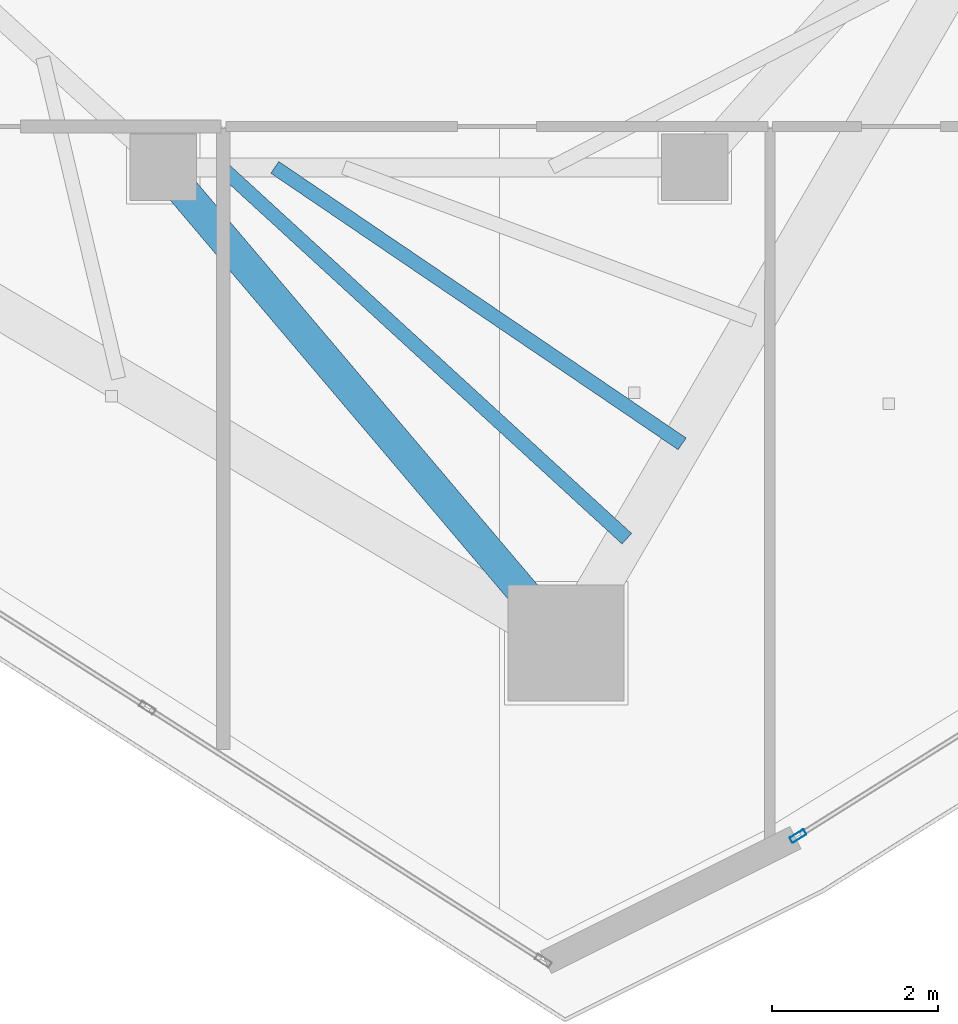
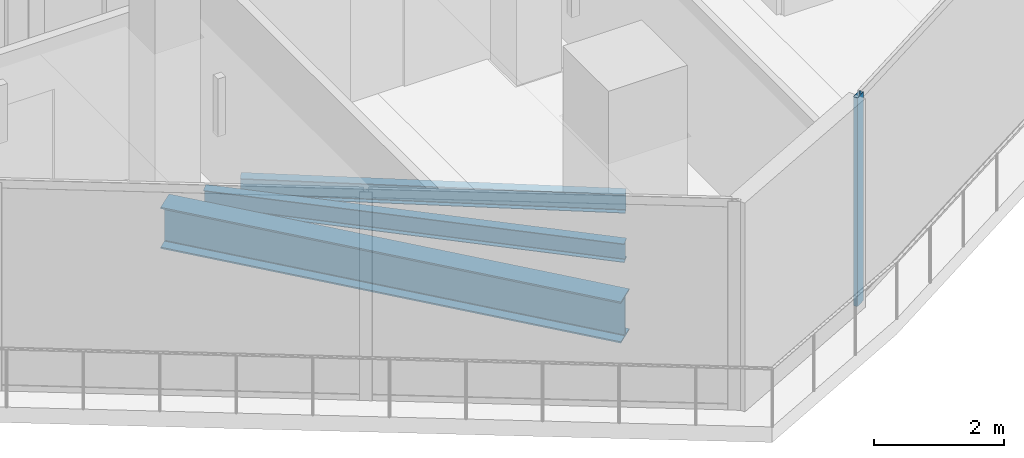
# One storey, part 4 of 24: 3 beams, 1 member, 1 element without a shape of its own.
"""IFC4 building model written with IfcOpenShell, lengths in metres."""

from ifc_helpers import new_model, si_unit, direction, frame, origin, origin_2d, place, context, subcontext, project, spatial, hollow_rectangle, i_section, extrude, material, layer, layer_set, material_profile, profile_set, type_object, element, aggregate, save


model = new_model("IFC4")

# Units and contexts
model_context = context("Model", 3, precision=1e-05, world=origin(), true_north=direction((0.0, 1.0)))
body_context = subcontext(model_context, "Body", "Model", "MODEL_VIEW")
ifc_project = project(units=[si_unit("LENGTHUNIT", "METRE"), si_unit("AREAUNIT", "SQUARE_METRE"), si_unit("VOLUMEUNIT", "CUBIC_METRE"), si_unit("PLANEANGLEUNIT", "RADIAN"), si_unit("MASSUNIT", "GRAM", prefix="KILO")], contexts=[model_context])

# Site, building, storey
site_placement = place(None, origin())
site = spatial("IfcSite", under=ifc_project, at=site_placement, CompositionType="ELEMENT")
building_placement = place(site_placement, origin())
building = spatial("IfcBuilding", under=site, at=building_placement, Name="Qorvath Tower", CompositionType="ELEMENT")
storey_placement = place(building_placement, frame((0.0, 0.0, 318.60009765625)))
storey = spatial("IfcBuildingStorey", under=building, at=storey_placement, Name="L74", CompositionType="ELEMENT", Elevation=318.60009765625)

# Beams
ifc_material_1 = material(Name="Steel ASTM A992 Grade 50", Category="steel")
ifc_material_profile_1 = material_profile(ifc_material_1, i_section(OverallWidth=0.381103515625, OverallDepth=0.77294921875, WebThickness=0.0166015625, FlangeThickness=0.027099609375, FilletRadius=0.01904296875, at=origin_2d()), Name="W30x173")
ifc_profile_set_1 = profile_set([ifc_material_profile_1], Name="Steel ASTM A992 Grade 50")
beam_type_1 = type_object("IfcBeamType", Name="BM-FG3", PredefinedType="BEAM", material=ifc_profile_set_1)
beam_1_placement = place(storey_placement, frame((-23.60009765625, -11.449951171875, -0.676513671875), z_axis=(0.646321389876, -0.763065305848, 0.0), x_axis=(0.763065305848, 0.646321389876, 0.0)))
element("IfcBeam", 1, at=beam_1_placement, inside=storey, type_object=beam_type_1, Name="Radial Floor Girder CC4-MC3 L74", PredefinedType="BEAM", context=body_context, shape_type="SweptSolid", body=[
    extrude(i_section(OverallWidth=0.381103515625, OverallDepth=0.77294921875, WebThickness=0.0166015625, FlangeThickness=0.027099609375, FilletRadius=0.01904296875, at=origin_2d()), origin(), (0.0, 0.0, 1.0), 7.50341796875),
])
ifc_material_2 = material(Name="Steel ASTM A992 Grade 50", Category="steel")
ifc_material_profile_2 = material_profile(ifc_material_2, i_section(OverallWidth=0.1708984375, OverallDepth=0.35107421875, WebThickness=0.0068359375, FlangeThickness=0.009765625, FilletRadius=0.010009765625, at=origin_2d()), Name="W14x30")
ifc_profile_set_2 = profile_set([ifc_material_profile_2], Name="Steel ASTM A992 Grade 50")
beam_type_2 = type_object("IfcBeamType", Name="BM-FJ4", PredefinedType="JOIST", material=ifc_profile_set_2)
beam_2_placement = place(storey_placement, frame((-22.256103515625, -11.449951171875, -0.465576171875), z_axis=(0.827400561462, -0.56161224247, 0.0), x_axis=(0.56161224247, 0.827400561462, 0.0)))
element("IfcBeam", 2, at=beam_2_placement, inside=storey, type_object=beam_type_2, Name="Composite Floor Joist SE6 L74", PredefinedType="JOIST", context=body_context, shape_type="SweptSolid", body=[
    extrude(i_section(OverallWidth=0.1708984375, OverallDepth=0.35107421875, WebThickness=0.0068359375, FlangeThickness=0.009765625, FilletRadius=0.010009765625, at=origin_2d()), origin(), (0.0, 0.0, 1.0), 5.925537109375),
])
beam_3_placement = place(storey_placement, frame((-22.89599609375, -11.449951171875, -0.465576171875), z_axis=(0.737232260457, -0.675639396528, 0.0), x_axis=(0.675639396528, 0.737232260457, 0.0)))
element("IfcBeam", 3, at=beam_3_placement, inside=storey, type_object=beam_type_2, Name="Composite Floor Joist SE7 L74", PredefinedType="JOIST", context=body_context, shape_type="SweptSolid", body=[
    extrude(i_section(OverallWidth=0.1708984375, OverallDepth=0.35107421875, WebThickness=0.0068359375, FlangeThickness=0.009765625, FilletRadius=0.010009765625, at=origin_2d()), origin(), (0.0, 0.0, 1.0), 6.615478515625),
])

# Curtain wall, member
ifc_material_3 = material(Name="Anodised aluminium and triple low-E glass", Category="aluminium")
ifc_layer = layer(ifc_material_3, 0.179931640625)
ifc_layer_set = layer_set([ifc_layer], Name="CW-SYS-4")
curtain_wall_type = type_object("IfcCurtainWallType", Name="CW-SYS-4", PredefinedType="NOTDEFINED", material=ifc_layer_set)
curtain_wall_placement = place(storey_placement, origin())
curtain_wall = element("IfcCurtainWall", 4, at=curtain_wall_placement, inside=storey, type_object=curtain_wall_type, Name="Curtain Wall CW-4 CW-T-L74-4.1", PredefinedType="NOTDEFINED")
ifc_material_4 = material(Name="Anodised aluminium 6063-T6", Category="aluminium")
ifc_material_profile_3 = material_profile(ifc_material_4, hollow_rectangle(XDim=0.074951171875, YDim=0.199951171875, WallThickness=0.00390625, InnerFilletRadius=0.00390625, OuterFilletRadius=0.008056640625, at=origin_2d()), Name="CWM 200x75")
ifc_profile_set_3 = profile_set([ifc_material_profile_3], Name="Anodised aluminium 6063-T6")
member_type = type_object("IfcMemberType", Name="CWM-200", PredefinedType="MULLION", material=ifc_profile_set_3)
member_placement = place(storey_placement, frame((-15.958984375, -19.498291015625, 0.0), z_axis=(0.0, 0.0, 1.0), x_axis=(-0.531317282713, 0.847172913336, 0.0)))
member = element("IfcMember", 5, at=member_placement, type_object=member_type, Name="CW-4 mullion 1", PredefinedType="MULLION", context=body_context, shape_type="SweptSolid", body=[
    extrude(hollow_rectangle(XDim=0.074951171875, YDim=0.199951171875, WallThickness=0.00390625, InnerFilletRadius=0.00390625, OuterFilletRadius=0.008056640625, at=origin_2d()), origin(), (0.0, 0.0, 1.0), 3.909912109375),
])
aggregate(curtain_wall, [member])

save(model, "model.ifc")
